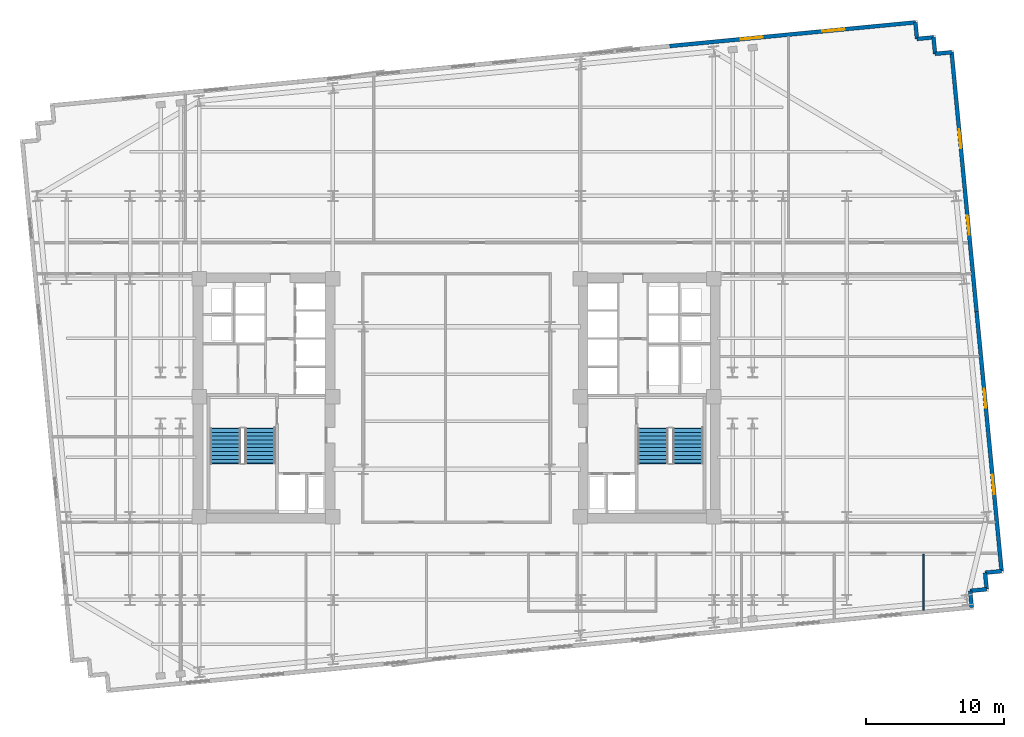
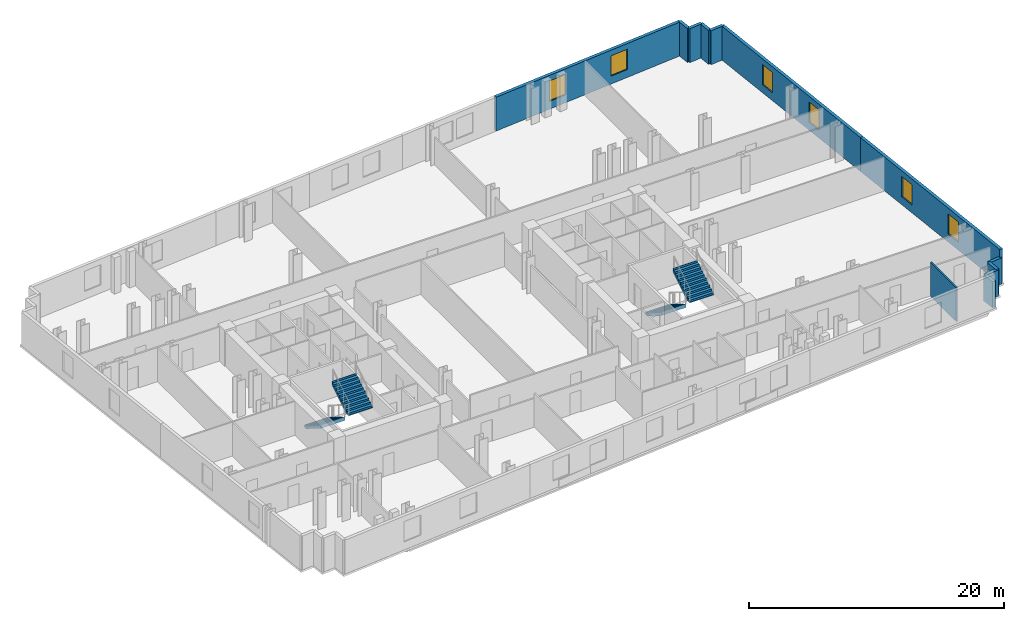
# One storey, part 8 of 10: 12 walls, 6 windows, 4 stair flights, 6 openings, 2 elements without a shape of their own.
"""IFC4 building model written with IfcOpenShell, lengths in metres."""

from ifc_helpers import new_model, si_unit, direction, frame, frame_2d, origin, place, context, subcontext, project, spatial, polyline, rectangle, outline, extrude, material, layer, layer_set, type_object, element, fill, aggregate, save


model = new_model("IFC4")

# Units and contexts
model_context = context("Model", 3, precision=1e-05, world=origin(), true_north=direction((0.0, 1.0)))
body_context = subcontext(model_context, "Body", "Model", "MODEL_VIEW")
ifc_project = project(units=[si_unit("LENGTHUNIT", "METRE"), si_unit("AREAUNIT", "SQUARE_METRE"), si_unit("VOLUMEUNIT", "CUBIC_METRE"), si_unit("PLANEANGLEUNIT", "RADIAN"), si_unit("MASSUNIT", "GRAM", prefix="KILO")], contexts=[model_context])

# Site, building, storey
site_placement = place(None, origin())
site = spatial("IfcSite", under=ifc_project, at=site_placement, CompositionType="ELEMENT")
building_placement = place(site_placement, origin())
building = spatial("IfcBuilding", under=site, at=building_placement, Name="Velakula Bourse", CompositionType="ELEMENT")
storey_placement = place(building_placement, frame((0.0, 0.0, 91.449951171875)))
storey = spatial("IfcBuildingStorey", under=building, at=storey_placement, Name="L24", CompositionType="ELEMENT", Elevation=91.449951171875)

# Wall, openings, windows
ifc_material_1 = material(Name="Red kilned clay facing brick masonry", Category="masonry")
ifc_layer_1 = layer(ifc_material_1, 0.280029296875, Name="Red kilned clay facing brick masonry", Category="masonry")
ifc_layer_set_1 = layer_set([ifc_layer_1], Name="Red kilned clay facing brick masonry")
wall_type_1 = type_object("IfcWallType", Name="WL-EXT-BRK-280", PredefinedType="STANDARD", material=ifc_layer_set_1)
wall_1_placement = place(storey_placement, frame((15.402099609375, 25.43603515625, 0.0), z_axis=(0.0, 0.0, 1.0), x_axis=(0.995395780835, 0.095850088663, 0.0)))
wall_1 = element("IfcWall", 1, at=wall_1_placement, inside=storey, type_object=wall_type_1, Name="L24 N Brick Spandrel Wall B5", PredefinedType="STANDARD", context=body_context, shape_type="SweptSolid", body=[
    extrude(rectangle(XDim=17.83984375, YDim=0.280029296875, at=frame_2d((8.919921875, 0.0))), origin(), (0.0, 0.0, 1.0), 3.25),
])
opening_1_placement = place(wall_1_placement, frame((5.146728515625, 0.0, 0.760009765625)))
opening_1 = element("IfcOpeningElement", 2, at=opening_1_placement, cuts=wall_1, Name="Opening W-02", PredefinedType="OPENING", context=body_context, shape_type="SweptSolid", body=[
    extrude(rectangle(XDim=1.60009765625, YDim=1.949951171875, at=frame_2d((0.800048828125, 0.97509765625))), frame((0.0, 0.14990234375, 0.0), z_axis=(0.0, -1.0, 0.0), x_axis=(1.0, 0.0, 0.0)), (0.0, 0.0, 1.0), 0.300048828125),
])
opening_2_placement = place(wall_1_placement, frame((11.09326171875, 0.0, 0.760009765625)))
opening_2 = element("IfcOpeningElement", 3, at=opening_2_placement, cuts=wall_1, Name="Opening W-02", PredefinedType="OPENING", context=body_context, shape_type="SweptSolid", body=[
    extrude(rectangle(XDim=1.60009765625, YDim=1.949951171875, at=frame_2d((0.800048828125, 0.97509765625))), frame((0.0, 0.14990234375, 0.0), z_axis=(0.0, -1.0, 0.0), x_axis=(1.0, 0.0, 0.0)), (0.0, 0.0, 1.0), 0.300048828125),
])
ifc_material_2 = material(Name="Double-glazed solar-control Low-E glass", Category="glass")
window_type_1 = type_object("IfcWindowType", Name="WIN-TWR-1600x2100", PartitioningType="SINGLE_PANEL", PredefinedType="WINDOW", material=ifc_material_2)
window_1_placement = place(opening_1_placement, origin())
window_1 = element("IfcWindow", 4, at=window_1_placement, inside=storey, type_object=window_type_1, Name="L24 Deep-Set Recessed Window 1", OverallHeight=1.949951171875, OverallWidth=1.60009765625, PartitioningType="SINGLE_PANEL", PredefinedType="WINDOW", context=body_context, shape_type="SweptSolid", body=[
    extrude(rectangle(XDim=1.60009765625, YDim=1.949951171875, at=frame_2d((0.800048828125, 0.97509765625))), frame((0.0, 0.030029296875, 0.0), z_axis=(0.0, -1.0, 0.0), x_axis=(1.0, 0.0, 0.0)), (0.0, 0.0, 1.0), 0.06005859375),
])
fill(opening_1, window_1)
window_2_placement = place(opening_2_placement, origin())
window_2 = element("IfcWindow", 5, at=window_2_placement, inside=storey, type_object=window_type_1, Name="L24 Deep-Set Recessed Window 2", OverallHeight=1.949951171875, OverallWidth=1.60009765625, PartitioningType="SINGLE_PANEL", PredefinedType="WINDOW", context=body_context, shape_type="SweptSolid", body=[
    extrude(rectangle(XDim=1.60009765625, YDim=1.949951171875, at=frame_2d((0.800048828125, 0.97509765625))), frame((0.0, 0.030029296875, 0.0), z_axis=(0.0, -1.0, 0.0), x_axis=(1.0, 0.0, 0.0)), (0.0, 0.0, 1.0), 0.06005859375),
])
fill(opening_2, window_2)

wall_2_placement = place(storey_placement, frame((37.584716796875, 6.23388671875, 0.0), z_axis=(0.0, 0.0, 1.0), x_axis=(0.095841297881, -0.99539662729, 0.0)))
wall_2 = element("IfcWall", 6, at=wall_2_placement, inside=storey, type_object=wall_type_1, Name="L24 E Brick End Wall W1", PredefinedType="STANDARD", context=body_context, shape_type="SweptSolid", body=[
    extrude(rectangle(XDim=18.840087890625, YDim=0.280029296875, at=frame_2d((9.419921875, 0.0))), origin(), (0.0, 0.0, 1.0), 3.25),
])
opening_3_placement = place(wall_2_placement, frame((5.580078125, 0.0, 0.760009765625)))
opening_3 = element("IfcOpeningElement", 7, at=opening_3_placement, cuts=wall_2, Name="Opening W-03", PredefinedType="OPENING", context=body_context, shape_type="SweptSolid", body=[
    extrude(rectangle(XDim=1.39990234375, YDim=1.949951171875, at=frame_2d((0.699951171875, 0.97509765625))), frame((0.0, 0.14990234375, 0.0), z_axis=(0.0, -1.0, 0.0), x_axis=(1.0, 0.0, 0.0)), (0.0, 0.0, 1.0), 0.300048828125),
])
opening_4_placement = place(wall_2_placement, frame((11.860107421875, 0.0, 0.760009765625)))
opening_4 = element("IfcOpeningElement", 8, at=opening_4_placement, cuts=wall_2, Name="Opening W-03", PredefinedType="OPENING", context=body_context, shape_type="SweptSolid", body=[
    extrude(rectangle(XDim=1.39990234375, YDim=1.949951171875, at=frame_2d((0.699951171875, 0.97509765625))), frame((0.0, 0.14990234375, 0.0), z_axis=(0.0, -1.0, 0.0), x_axis=(1.0, 0.0, 0.0)), (0.0, 0.0, 1.0), 0.300048828125),
])
window_type_2 = type_object("IfcWindowType", Name="WIN-TWR-1400x2100", PartitioningType="SINGLE_PANEL", PredefinedType="WINDOW", material=ifc_material_2)
window_3_placement = place(opening_3_placement, origin())
window_3 = element("IfcWindow", 9, at=window_3_placement, inside=storey, type_object=window_type_2, Name="L24 Deep-Set Recessed Window 1", OverallHeight=1.949951171875, OverallWidth=1.39990234375, PartitioningType="SINGLE_PANEL", PredefinedType="WINDOW", context=body_context, shape_type="SweptSolid", body=[
    extrude(rectangle(XDim=1.39990234375, YDim=1.949951171875, at=frame_2d((0.699951171875, 0.97509765625))), frame((0.0, 0.030029296875, 0.0), z_axis=(0.0, -1.0, 0.0), x_axis=(1.0, 0.0, 0.0)), (0.0, 0.0, 1.0), 0.06005859375),
])
fill(opening_3, window_3)
window_4_placement = place(opening_4_placement, origin())
window_4 = element("IfcWindow", 10, at=window_4_placement, inside=storey, type_object=window_type_2, Name="L24 Deep-Set Recessed Window 2", OverallHeight=1.949951171875, OverallWidth=1.39990234375, PartitioningType="SINGLE_PANEL", PredefinedType="WINDOW", context=body_context, shape_type="SweptSolid", body=[
    extrude(rectangle(XDim=1.39990234375, YDim=1.949951171875, at=frame_2d((0.699951171875, 0.97509765625))), frame((0.0, 0.030029296875, 0.0), z_axis=(0.0, -1.0, 0.0), x_axis=(1.0, 0.0, 0.0)), (0.0, 0.0, 1.0), 0.06005859375),
])
fill(opening_4, window_4)

wall_3_placement = place(storey_placement, frame((35.779052734375, 24.987060546875, 0.0), z_axis=(0.0, 0.0, 1.0), x_axis=(0.095842534142, -0.995396508256, 0.0)))
wall_3 = element("IfcWall", 11, at=wall_3_placement, inside=storey, type_object=wall_type_1, Name="L24 E Brick End Wall W2", PredefinedType="STANDARD", context=body_context, shape_type="SweptSolid", body=[
    extrude(rectangle(XDim=18.83984375, YDim=0.280029296875, at=frame_2d((9.419921875, 0.0))), origin(), (0.0, 0.0, 1.0), 3.25),
])
opening_5_placement = place(wall_3_placement, frame((5.580078125, 0.0, 0.760009765625)))
opening_5 = element("IfcOpeningElement", 12, at=opening_5_placement, cuts=wall_3, Name="Opening W-03", PredefinedType="OPENING", context=body_context, shape_type="SweptSolid", body=[
    extrude(rectangle(XDim=1.39990234375, YDim=1.949951171875, at=frame_2d((0.699951171875, 0.97509765625))), frame((0.0, 0.14990234375, 0.0), z_axis=(0.0, -1.0, 0.0), x_axis=(1.0, 0.0, 0.0)), (0.0, 0.0, 1.0), 0.300048828125),
])
opening_6_placement = place(wall_3_placement, frame((11.860107421875, 0.0, 0.760009765625)))
opening_6 = element("IfcOpeningElement", 13, at=opening_6_placement, cuts=wall_3, Name="Opening W-03", PredefinedType="OPENING", context=body_context, shape_type="SweptSolid", body=[
    extrude(rectangle(XDim=1.39990234375, YDim=1.949951171875, at=frame_2d((0.699951171875, 0.97509765625))), frame((0.0, 0.14990234375, 0.0), z_axis=(0.0, -1.0, 0.0), x_axis=(1.0, 0.0, 0.0)), (0.0, 0.0, 1.0), 0.300048828125),
])
window_5_placement = place(opening_5_placement, origin())
window_5 = element("IfcWindow", 14, at=window_5_placement, inside=storey, type_object=window_type_2, Name="L24 Deep-Set Recessed Window 1", OverallHeight=1.949951171875, OverallWidth=1.39990234375, PartitioningType="SINGLE_PANEL", PredefinedType="WINDOW", context=body_context, shape_type="SweptSolid", body=[
    extrude(rectangle(XDim=1.39990234375, YDim=1.949951171875, at=frame_2d((0.699951171875, 0.97509765625))), frame((0.0, 0.030029296875, 0.0), z_axis=(0.0, -1.0, 0.0), x_axis=(1.0, 0.0, 0.0)), (0.0, 0.0, 1.0), 0.06005859375),
])
fill(opening_5, window_5)
window_6_placement = place(opening_6_placement, origin())
window_6 = element("IfcWindow", 15, at=window_6_placement, inside=storey, type_object=window_type_2, Name="L24 Deep-Set Recessed Window 2", OverallHeight=1.949951171875, OverallWidth=1.39990234375, PartitioningType="SINGLE_PANEL", PredefinedType="WINDOW", context=body_context, shape_type="SweptSolid", body=[
    extrude(rectangle(XDim=1.39990234375, YDim=1.949951171875, at=frame_2d((0.699951171875, 0.97509765625))), frame((0.0, 0.030029296875, 0.0), z_axis=(0.0, -1.0, 0.0), x_axis=(1.0, 0.0, 0.0)), (0.0, 0.0, 1.0), 0.06005859375),
])
fill(opening_6, window_6)

# Walls
for number, where, z_axis, x_axis, name in (
    (16, (37.2314453125, -15.138427734375, 0.0), (0.0, 0.0, 1.0), (-0.095817067274, 0.995398960025, 0.0), "L24 Serrated Corner Brick Wall SE-1"),
    (17, (37.116455078125, -13.94384765625, 0.0), (0.0, 0.0, 1.0), (0.995398960025, 0.095817067274, 0.0), "L24 Serrated Corner Brick Wall SE-2"),
):
    element("IfcWall", number, at=place(storey_placement, frame(where, z_axis=z_axis, x_axis=x_axis)), inside=storey, type_object=wall_type_1, Name=name, PredefinedType="STANDARD", context=body_context, shape_type="SweptSolid", body=[
        extrude(rectangle(XDim=1.2001953125, YDim=0.280029296875, at=frame_2d((0.60009765625, 0.0))), origin(), (0.0, 0.0, 1.0), 2.4951171875),
    ])
for number, where, z_axis, x_axis, name in (
    (18, (38.31103515625, -13.828857421875, 0.0), (0.0, 0.0, 1.0), (-0.095836473879, 0.995397091755, 0.0), "L24 Serrated Corner Brick Wall SE-3"),
    (19, (38.196044921875, -12.634521484375, 0.0), (0.0, 0.0, 1.0), (0.995397091755, 0.095836473879, 0.0), "L24 Serrated Corner Brick Wall SE-4"),
):
    element("IfcWall", number, at=place(storey_placement, frame(where, z_axis=z_axis, x_axis=x_axis)), inside=storey, type_object=wall_type_1, Name=name, PredefinedType="STANDARD", context=body_context, shape_type="SweptSolid", body=[
        extrude(rectangle(XDim=1.199951171875, YDim=0.280029296875, at=frame_2d((0.60009765625, 0.0))), origin(), (0.0, 0.0, 1.0), 2.4951171875),
    ])
for number, where, z_axis, x_axis, name in (
    (20, (35.779052734375, 24.987060546875, 0.0), (0.0, 0.0, 1.0), (-0.995398960025, -0.095817067274, 0.0), "L24 Serrated Corner Brick Wall NE-1"),
    (21, (34.58447265625, 24.8720703125, 0.0), (0.0, 0.0, 1.0), (-0.095817067274, 0.995398960025, 0.0), "L24 Serrated Corner Brick Wall NE-2"),
    (22, (34.469482421875, 26.066650390625, 0.0), (0.0, 0.0, 1.0), (-0.995398960025, -0.095817067274, 0.0), "L24 Serrated Corner Brick Wall NE-3"),
):
    element("IfcWall", number, at=place(storey_placement, frame(where, z_axis=z_axis, x_axis=x_axis)), inside=storey, type_object=wall_type_1, Name=name, PredefinedType="STANDARD", context=body_context, shape_type="SweptSolid", body=[
        extrude(rectangle(XDim=1.2001953125, YDim=0.280029296875, at=frame_2d((0.60009765625, 0.0))), origin(), (0.0, 0.0, 1.0), 3.25),
    ])
wall_4_placement = place(storey_placement, frame((33.27490234375, 25.95166015625, 0.0), z_axis=(0.0, 0.0, 1.0), x_axis=(-0.095836473879, 0.995397091755, 0.0)))
element("IfcWall", 23, at=wall_4_placement, inside=storey, type_object=wall_type_1, Name="L24 Serrated Corner Brick Wall NE-4", PredefinedType="STANDARD", context=body_context, shape_type="SweptSolid", body=[
    extrude(rectangle(XDim=1.199951171875, YDim=0.280029296875, at=frame_2d((0.60009765625, 0.0))), origin(), (0.0, 0.0, 1.0), 3.25),
])
ifc_material_3 = material(Name="Fire-rated double-layer gypsum drywall partition", Category="gypsum")
ifc_layer_2 = layer(ifc_material_3, 0.1201171875, Name="Fire-rated double-layer gypsum drywall partition", Category="gypsum")
ifc_layer_set_2 = layer_set([ifc_layer_2], Name="Fire-rated double-layer gypsum drywall partition")
wall_type_2 = type_object("IfcWallType", Name="WL-PART-120", PredefinedType="STANDARD", material=ifc_layer_set_2)
wall_5_placement = place(storey_placement, frame((33.739013671875, -15.35400390625, 0.0), z_axis=(0.0, 0.0, 1.0), x_axis=(0.0, 1.0, 0.0)))
element("IfcWall", 24, at=wall_5_placement, inside=storey, type_object=wall_type_2, Name="L24 Interior Partition WL-INT-L24-SR-D10", PredefinedType="STANDARD", context=body_context, shape_type="SweptSolid", body=[
    extrude(rectangle(XDim=4.06396484375, YDim=0.1201171875, at=frame_2d((2.031982421875, 0.0))), origin(), (0.0, 0.0, 1.0), 3.25),
])

# Stair, stair flights
ifc_material_4 = material(Name="Concrete M45 (fck 45 MPa)", Category="concrete")
stair_type = type_object("IfcStairType", Name="STR-DOG-390", PredefinedType="HALF_TURN_STAIR", material=ifc_material_4)
stair_1_placement = place(storey_placement, origin())
stair_1 = element("IfcStair", 25, at=stair_1_placement, inside=storey, type_object=stair_type, Name="L24 West Core Exit Stair ST-W1", PredefinedType="HALF_TURN_STAIR")
ifc_layer_3 = layer(ifc_material_4, 0.195068359375, Name="Concrete M45 (fck 45 MPa)", Category="concrete")
ifc_layer_set_3 = layer_set([ifc_layer_3], Name="Concrete M45 (fck 45 MPa)")
stair_flight_type = type_object("IfcStairFlightType", Name="FLT-DOG-390", PredefinedType="STRAIGHT", material=ifc_layer_set_3)
stair_flight_1_placement = place(storey_placement, frame((-16.720947265625, -2.199951171875, 0.0), z_axis=(0.0, 0.0, 1.0), x_axis=(0.0, -1.0, 0.0)))
stair_flight_1 = element("IfcStairFlight", 26, at=stair_flight_1_placement, type_object=stair_flight_type, Name="ST-W1 flight 1", NumberOfRisers=10, NumberOfTreads=9, PredefinedType="STRAIGHT", RiserHeight=0.1725, TreadLength=0.28, context=body_context, shape_type="SweptSolid", body=[
    extrude(outline(polyline([(-0.044921875, -0.0400390625), (-0.044921875, -0.036865234375), (-0.044921875, -0.033935546875), (-0.044921875, -0.03076171875), (-0.044921875, -0.027587890625), (-0.044921875, -0.024658203125), (-0.044921875, -0.021484375), (-0.044921875, -0.0185546875), (-0.044921875, -0.015380859375), (-0.044921875, -0.01220703125), (-0.044921875, -0.00927734375), (-0.044921875, -0.006103515625), (-0.044921875, -0.003173828125), (-0.044921875, 0.0), (0.0, 0.0), (0.0, 0.172607421875), (0.280029296875, 0.172607421875), (0.280029296875, 0.344970703125), (0.56005859375, 0.344970703125), (0.56005859375, 0.517578125), (0.840087890625, 0.517578125), (0.840087890625, 0.68994140625), (1.1201171875, 0.68994140625), (1.1201171875, 0.862548828125), (1.39990234375, 0.862548828125), (1.39990234375, 1.034912109375), (1.679931640625, 1.034912109375), (1.679931640625, 1.20751953125), (1.9599609375, 1.20751953125), (1.9599609375, 1.3798828125), (2.239990234375, 1.3798828125), (2.239990234375, 1.552490234375), (2.52001953125, 1.552490234375), (2.52001953125, 1.72509765625), (2.56494140625, 1.72509765625), (2.56494140625, 1.7001953125), (2.56494140625, 1.67529296875), (2.56494140625, 1.650390625), (2.56494140625, 1.62548828125), (2.56494140625, 1.6005859375), (2.56494140625, 1.57568359375), (2.56494140625, 1.55078125), (2.56494140625, 1.52587890625), (2.56494140625, 1.5009765625), (2.56494140625, 1.47607421875), (2.56494140625, 1.451171875), (2.56494140625, 1.42626953125), (2.56494140625, 1.4013671875), (2.56494140625, 1.37646484375), (0.285888671875, -0.0400390625), (-0.044921875, -0.0400390625)])), frame((0.0, 1.09912109375, 0.0), z_axis=(0.0, -1.0, 0.0), x_axis=(1.0, 0.0, 0.0)), (0.0, 0.0, 1.0), 2.197998046875),
])
stair_flight_2_placement = place(storey_placement, frame((-14.198974609375, -4.719970703125, 1.72509765625), z_axis=(0.0, 0.0, 1.0), x_axis=(0.0, 1.0, 0.0)))
stair_flight_2 = element("IfcStairFlight", 27, at=stair_flight_2_placement, type_object=stair_flight_type, Name="ST-W1 flight 2", NumberOfRisers=10, NumberOfTreads=9, PredefinedType="STRAIGHT", RiserHeight=0.1725, TreadLength=0.28, context=body_context, shape_type="SweptSolid", body=[
    extrude(outline(polyline([(-0.044921875, -0.0400390625), (-0.044921875, -0.036865234375), (-0.044921875, -0.033935546875), (-0.044921875, -0.03076171875), (-0.044921875, -0.027587890625), (-0.044921875, -0.024658203125), (-0.044921875, -0.021484375), (-0.044921875, -0.0185546875), (-0.044921875, -0.015380859375), (-0.044921875, -0.01220703125), (-0.044921875, -0.00927734375), (-0.044921875, -0.006103515625), (-0.044921875, -0.003173828125), (-0.044921875, 0.0), (0.0, 0.0), (0.0, 0.172607421875), (0.280029296875, 0.172607421875), (0.280029296875, 0.344970703125), (0.56005859375, 0.344970703125), (0.56005859375, 0.517578125), (0.840087890625, 0.517578125), (0.840087890625, 0.68994140625), (1.1201171875, 0.68994140625), (1.1201171875, 0.862548828125), (1.39990234375, 0.862548828125), (1.39990234375, 1.034912109375), (1.679931640625, 1.034912109375), (1.679931640625, 1.20751953125), (1.9599609375, 1.20751953125), (1.9599609375, 1.3798828125), (2.239990234375, 1.3798828125), (2.239990234375, 1.552490234375), (2.52001953125, 1.552490234375), (2.52001953125, 1.72509765625), (2.56494140625, 1.72509765625), (2.56494140625, 1.7001953125), (2.56494140625, 1.67529296875), (2.56494140625, 1.650390625), (2.56494140625, 1.62548828125), (2.56494140625, 1.6005859375), (2.56494140625, 1.57568359375), (2.56494140625, 1.55078125), (2.56494140625, 1.52587890625), (2.56494140625, 1.5009765625), (2.56494140625, 1.47607421875), (2.56494140625, 1.451171875), (2.56494140625, 1.42626953125), (2.56494140625, 1.4013671875), (2.56494140625, 1.37646484375), (0.285888671875, -0.0400390625), (-0.044921875, -0.0400390625)])), frame((0.0, 1.09912109375, 0.0), z_axis=(0.0, -1.0, 0.0), x_axis=(1.0, 0.0, 0.0)), (0.0, 0.0, 1.0), 2.197998046875),
])
aggregate(stair_1, [stair_flight_1, stair_flight_2])

stair_2_placement = place(storey_placement, origin())
stair_2 = element("IfcStair", 28, at=stair_2_placement, inside=storey, type_object=stair_type, Name="L24 East Core Exit Stair ST-E1", PredefinedType="HALF_TURN_STAIR")
stair_flight_3_placement = place(storey_placement, frame((14.198974609375, -2.199951171875, 0.0), z_axis=(0.0, 0.0, 1.0), x_axis=(0.0, -1.0, 0.0)))
stair_flight_3 = element("IfcStairFlight", 29, at=stair_flight_3_placement, type_object=stair_flight_type, Name="ST-E1 flight 1", NumberOfRisers=10, NumberOfTreads=9, PredefinedType="STRAIGHT", RiserHeight=0.1725, TreadLength=0.28, context=body_context, shape_type="SweptSolid", body=[
    extrude(outline(polyline([(-0.044921875, -0.0400390625), (-0.044921875, -0.036865234375), (-0.044921875, -0.033935546875), (-0.044921875, -0.03076171875), (-0.044921875, -0.027587890625), (-0.044921875, -0.024658203125), (-0.044921875, -0.021484375), (-0.044921875, -0.0185546875), (-0.044921875, -0.015380859375), (-0.044921875, -0.01220703125), (-0.044921875, -0.00927734375), (-0.044921875, -0.006103515625), (-0.044921875, -0.003173828125), (-0.044921875, 0.0), (0.0, 0.0), (0.0, 0.172607421875), (0.280029296875, 0.172607421875), (0.280029296875, 0.344970703125), (0.56005859375, 0.344970703125), (0.56005859375, 0.517578125), (0.840087890625, 0.517578125), (0.840087890625, 0.68994140625), (1.1201171875, 0.68994140625), (1.1201171875, 0.862548828125), (1.39990234375, 0.862548828125), (1.39990234375, 1.034912109375), (1.679931640625, 1.034912109375), (1.679931640625, 1.20751953125), (1.9599609375, 1.20751953125), (1.9599609375, 1.3798828125), (2.239990234375, 1.3798828125), (2.239990234375, 1.552490234375), (2.52001953125, 1.552490234375), (2.52001953125, 1.72509765625), (2.56494140625, 1.72509765625), (2.56494140625, 1.7001953125), (2.56494140625, 1.67529296875), (2.56494140625, 1.650390625), (2.56494140625, 1.62548828125), (2.56494140625, 1.6005859375), (2.56494140625, 1.57568359375), (2.56494140625, 1.55078125), (2.56494140625, 1.52587890625), (2.56494140625, 1.5009765625), (2.56494140625, 1.47607421875), (2.56494140625, 1.451171875), (2.56494140625, 1.42626953125), (2.56494140625, 1.4013671875), (2.56494140625, 1.37646484375), (0.285888671875, -0.0400390625), (-0.044921875, -0.0400390625)])), frame((0.0, 1.09912109375, 0.0), z_axis=(0.0, -1.0, 0.0), x_axis=(1.0, 0.0, 0.0)), (0.0, 0.0, 1.0), 2.197998046875),
])
stair_flight_4_placement = place(storey_placement, frame((16.720947265625, -4.719970703125, 1.72509765625), z_axis=(0.0, 0.0, 1.0), x_axis=(0.0, 1.0, 0.0)))
stair_flight_4 = element("IfcStairFlight", 30, at=stair_flight_4_placement, type_object=stair_flight_type, Name="ST-E1 flight 2", NumberOfRisers=10, NumberOfTreads=9, PredefinedType="STRAIGHT", RiserHeight=0.1725, TreadLength=0.28, context=body_context, shape_type="SweptSolid", body=[
    extrude(outline(polyline([(-0.044921875, -0.0400390625), (-0.044921875, -0.036865234375), (-0.044921875, -0.033935546875), (-0.044921875, -0.03076171875), (-0.044921875, -0.027587890625), (-0.044921875, -0.024658203125), (-0.044921875, -0.021484375), (-0.044921875, -0.0185546875), (-0.044921875, -0.015380859375), (-0.044921875, -0.01220703125), (-0.044921875, -0.00927734375), (-0.044921875, -0.006103515625), (-0.044921875, -0.003173828125), (-0.044921875, 0.0), (0.0, 0.0), (0.0, 0.172607421875), (0.280029296875, 0.172607421875), (0.280029296875, 0.344970703125), (0.56005859375, 0.344970703125), (0.56005859375, 0.517578125), (0.840087890625, 0.517578125), (0.840087890625, 0.68994140625), (1.1201171875, 0.68994140625), (1.1201171875, 0.862548828125), (1.39990234375, 0.862548828125), (1.39990234375, 1.034912109375), (1.679931640625, 1.034912109375), (1.679931640625, 1.20751953125), (1.9599609375, 1.20751953125), (1.9599609375, 1.3798828125), (2.239990234375, 1.3798828125), (2.239990234375, 1.552490234375), (2.52001953125, 1.552490234375), (2.52001953125, 1.72509765625), (2.56494140625, 1.72509765625), (2.56494140625, 1.7001953125), (2.56494140625, 1.67529296875), (2.56494140625, 1.650390625), (2.56494140625, 1.62548828125), (2.56494140625, 1.6005859375), (2.56494140625, 1.57568359375), (2.56494140625, 1.55078125), (2.56494140625, 1.52587890625), (2.56494140625, 1.5009765625), (2.56494140625, 1.47607421875), (2.56494140625, 1.451171875), (2.56494140625, 1.42626953125), (2.56494140625, 1.4013671875), (2.56494140625, 1.37646484375), (0.285888671875, -0.0400390625), (-0.044921875, -0.0400390625)])), frame((0.0, 1.09912109375, 0.0), z_axis=(0.0, -1.0, 0.0), x_axis=(1.0, 0.0, 0.0)), (0.0, 0.0, 1.0), 2.197998046875),
])
aggregate(stair_2, [stair_flight_3, stair_flight_4])

save(model, "model.ifc")
